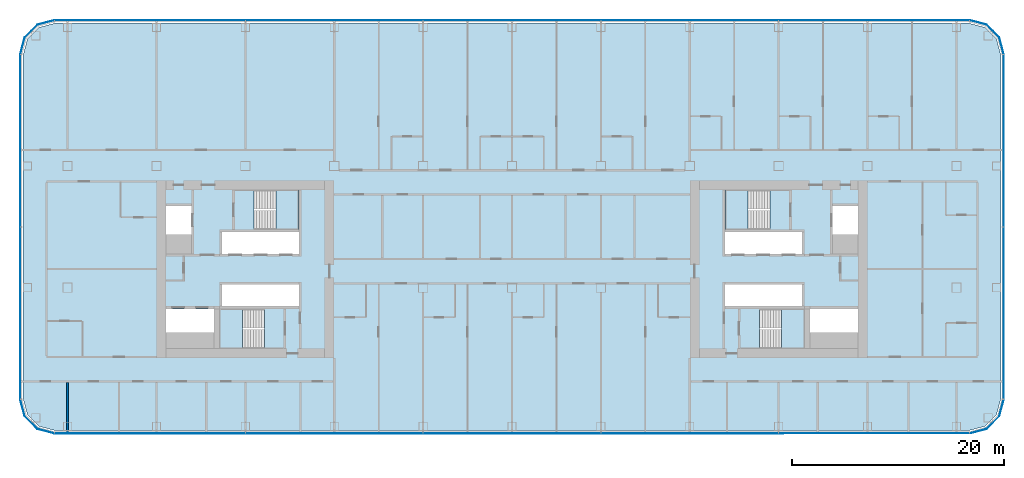
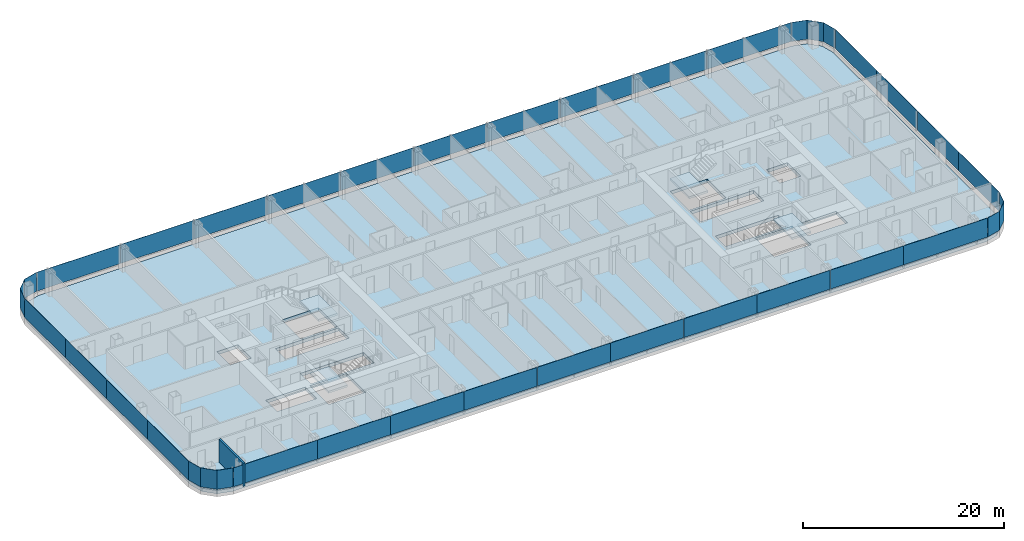
# One storey, part 14 of 29: 32 plates, 5 slabs, 1 wall, 12 elements without a shape of their own.
"""IFC4 building model written with IfcOpenShell, lengths in metres."""

import ifcopenshell
import ifcopenshell.guid

model = None  # the IFC model being written
_history = None  # IfcOwnerHistory: only IFC2X3 demands one
_inside = {}  # id of a spatial element -> (the spatial element, [elements in it])
_under = {}  # id of a project, library or spatial element -> (it, [spatial elements below it])
_declared = {}  # id of a project -> (the project, [libraries it declares])
_typed = {}  # id of a type object -> (the type object, [elements of that type])
_made_of = {}  # id of a material, layer set ... -> (it, [elements and type objects made of it])


def new_model(schema):
    """Start an empty IFC model of exactly this schema.

    Asked for "IFC4X3", IfcOpenShell would pick the latest addendum, in which some entities
    have other attributes; the version numbers below select the first issue.
    IFC2X3 requires an IfcOwnerHistory on every rooted entity: one is made here for all.
    """
    global model, _history
    if schema == "IFC4X3":
        model = ifcopenshell.file(schema_version=(4, 3, 0, 0))
    else:
        model = ifcopenshell.file(schema=schema)
    _inside.clear()
    _under.clear()
    _declared.clear()
    _typed.clear()
    _made_of.clear()
    _history = None
    if model.schema == "IFC2X3":
        org = make("IfcOrganization", Name="unknown")
        user = make(
            "IfcPersonAndOrganization",
            ThePerson=make("IfcPerson", FamilyName="unknown"),
            TheOrganization=org,
        )
        app = make(
            "IfcApplication",
            ApplicationDeveloper=org,
            Version="unknown",
            ApplicationFullName="unknown",
            ApplicationIdentifier="unknown",
        )
        _history = make(
            "IfcOwnerHistory",
            OwningUser=user,
            OwningApplication=app,
            ChangeAction="ADDED",
            CreationDate=0,
        )
    return model


def make(cls, **values):
    """One entity of the class cls with the attributes given. An attribute that is None is left unset."""
    return model.create_entity(
        cls, **{name: value for name, value in values.items() if value is not None}
    )


def rooted(cls, **values):
    """An entity with a GlobalId (a new one), such as an element, a storey or a relation."""
    return make(cls, GlobalId=ifcopenshell.guid.new(), OwnerHistory=_history, **values)


def si_unit(unit_type, name, prefix=None):
    """IfcSIUnit, for example si_unit("LENGTHUNIT", "METRE", prefix="MILLI")."""
    return make("IfcSIUnit", UnitType=unit_type, Prefix=prefix, Name=name)


def assignment(units):
    """IfcUnitAssignment: the units of a project."""
    return None if units is None else make("IfcUnitAssignment", Units=units)


def point(xyz):
    """IfcCartesianPoint."""
    return None if xyz is None else make("IfcCartesianPoint", Coordinates=xyz)


def direction(xyz):
    """IfcDirection."""
    return None if xyz is None else make("IfcDirection", DirectionRatios=xyz)


def frame(location, z_axis=None, x_axis=None):
    """IfcAxis2Placement3D, a coordinate frame: its origin and axes. An axis left out is left unset."""
    return make(
        "IfcAxis2Placement3D",
        Location=point(location),
        Axis=direction(z_axis),
        RefDirection=direction(x_axis),
    )


def frame_2d(location, x_axis=None):
    """IfcAxis2Placement2D, a coordinate frame in the plane: its origin and x axis."""
    return make(
        "IfcAxis2Placement2D", Location=point(location), RefDirection=direction(x_axis)
    )


def origin():
    """The frame at (0, 0, 0) with its axes left unset."""
    return frame((0.0, 0.0, 0.0))


def origin_2d():
    """The frame at (0, 0) in the plane with its x axis left unset."""
    return frame_2d((0.0, 0.0))


def place(relative_to, where):
    """IfcLocalPlacement: puts the frame where relative to a parent placement (None: the world)."""
    return make(
        "IfcLocalPlacement", PlacementRelTo=relative_to, RelativePlacement=where
    )


def context(
    kind, dimensions, precision=None, world=None, true_north=None, identifier=None
):
    """IfcGeometricRepresentationContext, for example the 3D "Model" context."""
    return make(
        "IfcGeometricRepresentationContext",
        ContextIdentifier=identifier,
        ContextType=kind,
        CoordinateSpaceDimension=dimensions,
        Precision=precision,
        WorldCoordinateSystem=world,
        TrueNorth=true_north,
    )


def subcontext(parent, identifier, kind, view, scale=None):
    """IfcGeometricRepresentationSubContext, for example "Body" below "Model"."""
    return make(
        "IfcGeometricRepresentationSubContext",
        ContextIdentifier=identifier,
        ContextType=kind,
        ParentContext=parent,
        TargetScale=scale,
        TargetView=view,
    )


def project(units=None, contexts=None):
    """IfcProject with its units and contexts."""
    return rooted(
        "IfcProject",
        Name="project",
        RepresentationContexts=contexts,
        UnitsInContext=assignment(units),
    )


def spatial(cls, under=None, at=None, **own):
    """A site, building, storey or space (cls), placed at a placement, below another one or the project."""
    s = rooted(cls, ObjectPlacement=at, **own)
    if under is not None:
        _under.setdefault(under.id(), (under, []))[1].append(s)
    return s


def polyline(points):
    """IfcPolyline through the points."""
    return make("IfcPolyline", Points=[point(p) for p in points])


def profile(cls, at=None, kind="AREA", **sizes):
    """A parametric profile (cls). Its sizes go by their IFC names, for example OverallWidth=200.0."""
    return make(cls, ProfileType=kind, Position=at, **sizes)


def rectangle(**sizes):
    """IfcRectangleProfileDef."""
    return profile("IfcRectangleProfileDef", **sizes)


def outline(outer, holes=None, kind="AREA"):
    """IfcArbitraryClosedProfileDef: a profile drawn as a closed curve; with holes, ...WithVoids."""
    if holes is None:
        return make("IfcArbitraryClosedProfileDef", ProfileType=kind, OuterCurve=outer)
    return make(
        "IfcArbitraryProfileDefWithVoids",
        ProfileType=kind,
        OuterCurve=outer,
        InnerCurves=holes,
    )


def extrude(swept, where, along, depth):
    """IfcExtrudedAreaSolid: the profile swept, set in the frame where, extruded along a direction by depth."""
    return make(
        "IfcExtrudedAreaSolid",
        SweptArea=swept,
        Position=where,
        ExtrudedDirection=direction(along),
        Depth=depth,
    )


def shape(context_of_items, identifier, shape_type, items):
    """IfcShapeRepresentation: the items that make up one representation, for example the "Body"."""
    return make(
        "IfcShapeRepresentation",
        ContextOfItems=context_of_items,
        RepresentationIdentifier=identifier,
        RepresentationType=shape_type,
        Items=items,
    )


def material(Name=None, Category=None):
    """IfcMaterial."""
    return make("IfcMaterial", Name=Name, Category=Category)


def layer(
    of_material, thickness, ventilated=None, Name=None, Category=None, Priority=None
):
    """IfcMaterialLayer: one layer of a wall or slab, of a material (None: an air gap)."""
    return make(
        "IfcMaterialLayer",
        Material=of_material,
        LayerThickness=thickness,
        IsVentilated=ventilated,
        Name=Name,
        Category=Category,
        Priority=Priority,
    )


def layer_set(layers, Name=None):
    """IfcMaterialLayerSet."""
    return make("IfcMaterialLayerSet", MaterialLayers=layers, LayerSetName=Name)


def made_of(thing, what):
    """Note that an element or type object is made of a material, layer set ...; save() writes the relation."""
    if what is not None:
        _made_of.setdefault(what.id(), (what, []))[1].append(thing)
    return thing


def type_object(cls, material=None, **own):
    """A type object (cls), such as IfcWallType, which elements share."""
    return made_of(rooted(cls, **own), material)


def element(
    cls,
    number,
    at=None,
    inside=None,
    cuts=None,
    type_object=None,
    material=None,
    context=None,
    identifier="Body",
    shape_type=None,
    held_by="IfcProductDefinitionShape",
    body=None,
    shapes=None,
    **own,
):
    """One element of the class cls, such as IfcWall. Its Tag is "e" and its number.

    at: its placement. inside: the storey or other place that contains it. cuts: it is an
    opening in that element (IfcRelVoidsElement). A single representation is given by context,
    identifier, shape_type and body (its items); several are given by shapes. held_by: the class
    of the entity that holds the representations. save() writes the other relations.
    """
    e = rooted(cls, Tag="e%d" % number, ObjectPlacement=at, **own)
    if body is not None:
        shapes = [shape(context, identifier, shape_type, body)]
    if shapes is not None:
        e.Representation = make(held_by, Representations=shapes)
    if inside is not None:
        _inside.setdefault(inside.id(), (inside, []))[1].append(e)
    if cuts is not None:
        rooted(
            "IfcRelVoidsElement", RelatingBuildingElement=cuts, RelatedOpeningElement=e
        )
    if type_object is not None:
        _typed.setdefault(type_object.id(), (type_object, []))[1].append(e)
    return made_of(e, material)


def aggregate(whole, parts):
    """IfcRelAggregates: a whole, such as a stair, and the parts it consists of."""
    return rooted("IfcRelAggregates", RelatingObject=whole, RelatedObjects=parts)


def save(model, path):
    """Write the relations noted so far, then the file.

    IfcRelAggregates (storeys below a building ...), IfcRelContainedInSpatialStructure (elements
    in a storey), IfcRelDefinesByType, IfcRelAssociatesMaterial and IfcRelDeclares: one each for
    every whole, place, type object, material and project.
    """
    for whole, parts in _under.values():
        aggregate(whole, parts)
    for where, things in _inside.values():
        rooted(
            "IfcRelContainedInSpatialStructure",
            RelatedElements=things,
            RelatingStructure=where,
        )
    for kind, things in _typed.values():
        rooted("IfcRelDefinesByType", RelatedObjects=things, RelatingType=kind)
    for what, things in _made_of.values():
        rooted("IfcRelAssociatesMaterial", RelatedObjects=things, RelatingMaterial=what)
    for by, libraries in _declared.values():
        rooted("IfcRelDeclares", RelatingContext=by, RelatedDefinitions=libraries)
    model.write(path)


model = new_model("IFC4")

# Units and contexts
model_context = context("Model", 3, precision=1e-05, world=origin(), true_north=direction((0.0, 1.0)))
body_context = subcontext(model_context, "Body", "Model", "MODEL_VIEW")
ifc_project = project(units=[si_unit("LENGTHUNIT", "METRE"), si_unit("AREAUNIT", "SQUARE_METRE"), si_unit("VOLUMEUNIT", "CUBIC_METRE"), si_unit("PLANEANGLEUNIT", "RADIAN"), si_unit("MASSUNIT", "GRAM", prefix="KILO")], contexts=[model_context])

# Site, building, storey
site_placement = place(None, origin())
site = spatial("IfcSite", under=ifc_project, at=site_placement, CompositionType="ELEMENT")
building_placement = place(site_placement, origin())
building = spatial("IfcBuilding", under=site, at=building_placement, Name="Hakoniwa Tower and Hamabe Station Hall", CompositionType="ELEMENT")
storey_placement = place(building_placement, frame((0.0, 0.0, 88.199951171875)))
storey = spatial("IfcBuildingStorey", under=building, at=storey_placement, Name="L24", CompositionType="ELEMENT", Elevation=88.199951171875)

# Stair, slab
ifc_material_1 = material(Name="Concrete C40", Category="concrete")
stair_type = type_object("IfcStairType", Name="ESCAPE STAIR 1800", PredefinedType="HALF_TURN_STAIR", material=ifc_material_1)
stair_1_placement = place(storey_placement, origin())
stair_1 = element("IfcStair", 1, at=stair_1_placement, inside=storey, type_object=stair_type, Name="Escape stair ST-1 L24", PredefinedType="HALF_TURN_STAIR")
ifc_material_2 = material(Name="Concrete C40", Category="concrete")
ifc_layer_1 = layer(ifc_material_2, 0.25)
ifc_layer_set_1 = layer_set([ifc_layer_1], Name="CORE STAIR LANDING 250")
slab_type_1 = type_object("IfcSlabType", Name="CORE STAIR LANDING 250", PredefinedType="LANDING", material=ifc_layer_set_1)
slab_1_placement = place(storey_placement, frame((0.0, 0.0, 1.35009765625)))
slab_1 = element("IfcSlab", 2, at=slab_1_placement, type_object=slab_type_1, Name="ST-1 landing 1", PredefinedType="LANDING", context=body_context, shape_type="SweptSolid", body=[
    extrude(outline(polyline([(-22.320068359375, 3.75), (-20.14990234375, 3.75), (-20.14990234375, 7.5), (-22.320068359375, 7.5), (-22.320068359375, 3.75)])), origin(), (0.0, 0.0, 1.0), 0.25),
])
aggregate(stair_1, [slab_1])

stair_2_placement = place(storey_placement, origin())
stair_2 = element("IfcStair", 3, at=stair_2_placement, inside=storey, type_object=stair_type, Name="Escape stair ST-2 L24", PredefinedType="HALF_TURN_STAIR")
slab_2_placement = place(storey_placement, frame((0.0, 0.0, 1.35009765625)))
slab_2 = element("IfcSlab", 4, at=slab_2_placement, type_object=slab_type_1, Name="ST-2 landing 1", PredefinedType="LANDING", context=body_context, shape_type="SweptSolid", body=[
    extrude(outline(polyline([(-25.47998046875, -7.5), (-27.64990234375, -7.5), (-27.64990234375, -3.75), (-25.47998046875, -3.75), (-25.47998046875, -7.5)])), origin(), (0.0, 0.0, 1.0), 0.25),
])
aggregate(stair_2, [slab_2])

stair_3_placement = place(storey_placement, origin())
stair_3 = element("IfcStair", 5, at=stair_3_placement, inside=storey, type_object=stair_type, Name="Escape stair ST-3 L24", PredefinedType="HALF_TURN_STAIR")
slab_3_placement = place(storey_placement, frame((0.0, 0.0, 1.35009765625)))
slab_3 = element("IfcSlab", 6, at=slab_3_placement, type_object=slab_type_1, Name="ST-3 landing 1", PredefinedType="LANDING", context=body_context, shape_type="SweptSolid", body=[
    extrude(outline(polyline([(22.320068359375, 3.75), (20.14990234375, 3.75), (20.14990234375, 7.5), (22.320068359375, 7.5), (22.320068359375, 3.75)])), origin(), (0.0, 0.0, 1.0), 0.25),
])
aggregate(stair_3, [slab_3])

stair_4_placement = place(storey_placement, origin())
stair_4 = element("IfcStair", 7, at=stair_4_placement, inside=storey, type_object=stair_type, Name="Escape stair ST-4 L24", PredefinedType="HALF_TURN_STAIR")
slab_4_placement = place(storey_placement, frame((0.0, 0.0, 1.35009765625)))
slab_4 = element("IfcSlab", 8, at=slab_4_placement, type_object=slab_type_1, Name="ST-4 landing 1", PredefinedType="LANDING", context=body_context, shape_type="SweptSolid", body=[
    extrude(outline(polyline([(25.47998046875, -7.5), (27.64990234375, -7.5), (27.64990234375, -3.75), (25.47998046875, -3.75), (25.47998046875, -7.5)])), origin(), (0.0, 0.0, 1.0), 0.25),
])
aggregate(stair_4, [slab_4])

# Curtain wall, plates
ifc_material_3 = material(Name="Dark low-e laminated glass", Category="glass")
ifc_layer_2 = layer(ifc_material_3, 0.199951171875)
ifc_layer_set_2 = layer_set([ifc_layer_2], Name="CW-1 UNITISED GUEST")
curtain_wall_type = type_object("IfcCurtainWallType", Name="CW-1 UNITISED GUEST", PredefinedType="NOTDEFINED", material=ifc_layer_set_2)
curtain_wall_1_placement = place(storey_placement, origin())
curtain_wall_1 = element("IfcCurtainWall", 9, at=curtain_wall_1_placement, inside=storey, type_object=curtain_wall_type, Name="CW-1 curtain wall", PredefinedType="NOTDEFINED")
ifc_material_4 = material(Name="Dark low-e laminated glass", Category="glass")
ifc_layer_3 = layer(ifc_material_4, 0.028076171875)
ifc_layer_set_3 = layer_set([ifc_layer_3], Name="CW-1 GLASS UNIT")
plate_type = type_object("IfcPlateType", Name="CW-1 GLASS UNIT", PredefinedType="CURTAIN_PANEL", material=ifc_layer_set_3)
plate_1_placement = place(storey_placement, frame((46.486083984375, -8.217041015625, 0.35009765625), z_axis=(0.0, 0.0, 1.0), x_axis=(0.0, 1.0, 0.0)))
plate_1 = element("IfcPlate", 10, at=plate_1_placement, type_object=plate_type, Name="CW-1 glass unit", PredefinedType="CURTAIN_PANEL", context=body_context, shape_type="SweptSolid", body=[
    extrude(rectangle(XDim=8.124755859375, YDim=0.028076171875, at=origin_2d()), origin(), (0.0, 0.0, 1.0), 2.300048828125),
])
plate_2_placement = place(storey_placement, frame((46.486083984375, -0.072265625, 0.35009765625), z_axis=(0.0, 0.0, 1.0), x_axis=(0.0, 1.0, 0.0)))
plate_2 = element("IfcPlate", 11, at=plate_2_placement, type_object=plate_type, Name="CW-1 glass unit", PredefinedType="CURTAIN_PANEL", context=body_context, shape_type="SweptSolid", body=[
    extrude(rectangle(XDim=8.124755859375, YDim=0.028076171875, at=origin_2d()), origin(), (0.0, 0.0, 1.0), 2.300048828125),
])
plate_3_placement = place(storey_placement, frame((46.486083984375, 8.072265625, 0.35009765625), z_axis=(0.0, 0.0, 1.0), x_axis=(0.0, 1.0, 0.0)))
plate_3 = element("IfcPlate", 12, at=plate_3_placement, type_object=plate_type, Name="CW-1 glass unit", PredefinedType="CURTAIN_PANEL", context=body_context, shape_type="SweptSolid", body=[
    extrude(rectangle(XDim=8.124755859375, YDim=0.028076171875, at=origin_2d()), origin(), (0.0, 0.0, 1.0), 2.300048828125),
])
plate_4_placement = place(storey_placement, frame((46.486083984375, 16.217041015625, 0.35009765625), z_axis=(0.0, 0.0, 1.0), x_axis=(0.0, 1.0, 0.0)))
plate_4 = element("IfcPlate", 13, at=plate_4_placement, type_object=plate_type, Name="CW-1 glass unit", PredefinedType="CURTAIN_PANEL", context=body_context, shape_type="SweptSolid", body=[
    extrude(rectangle(XDim=8.124755859375, YDim=0.028076171875, at=origin_2d()), origin(), (0.0, 0.0, 1.0), 2.300048828125),
])
aggregate(curtain_wall_1, [plate_1, plate_2, plate_3, plate_4])

# Curtain wall, plate
curtain_wall_2_placement = place(storey_placement, origin())
curtain_wall_2 = element("IfcCurtainWall", 14, at=curtain_wall_2_placement, inside=storey, type_object=curtain_wall_type, Name="CW-1 curtain wall", PredefinedType="NOTDEFINED")
plate_5_placement = place(storey_placement, frame((0.0, 0.0, 0.35009765625)))
plate_5 = element("IfcPlate", 15, at=plate_5_placement, type_object=plate_type, Name="CW-1 curved corner unit", PredefinedType="CURTAIN_PANEL", context=body_context, shape_type="SweptSolid", body=[
    extrude(outline(polyline([(46.48974609375, 20.328125), (46.067138671875, 21.9052734375), (44.855224609375, 23.116943359375), (43.278076171875, 23.53955078125), (43.27099609375, 23.5126953125), (44.8408203125, 23.092041015625), (46.0419921875, 21.890869140625), (46.462646484375, 20.32080078125), (46.48974609375, 20.328125)])), origin(), (0.0, 0.0, 1.0), 2.300048828125),
])
aggregate(curtain_wall_2, [plate_5])

# Curtain wall, plates
curtain_wall_3_placement = place(storey_placement, origin())
curtain_wall_3 = element("IfcCurtainWall", 16, at=curtain_wall_3_placement, inside=storey, type_object=curtain_wall_type, Name="CW-1 curtain wall", PredefinedType="NOTDEFINED")
plate_6_placement = place(storey_placement, frame((38.419677734375, 23.535888671875, 0.35009765625), z_axis=(0.0, 0.0, 1.0), x_axis=(-1.0, 0.0, 0.0)))
plate_6 = element("IfcPlate", 17, at=plate_6_placement, type_object=plate_type, Name="CW-1 glass unit", PredefinedType="CURTAIN_PANEL", context=body_context, shape_type="SweptSolid", body=[
    extrude(rectangle(XDim=9.619384765625, YDim=0.028076171875, at=origin_2d()), origin(), (0.0, 0.0, 1.0), 2.300048828125),
])
plate_7_placement = place(storey_placement, frame((29.39990234375, 23.535888671875, 0.35009765625), z_axis=(0.0, 0.0, 1.0), x_axis=(-1.0, 0.0, 0.0)))
plate_7 = element("IfcPlate", 18, at=plate_7_placement, type_object=plate_type, Name="CW-1 glass unit", PredefinedType="CURTAIN_PANEL", context=body_context, shape_type="SweptSolid", body=[
    extrude(rectangle(XDim=8.3798828125, YDim=0.028076171875, at=origin_2d()), origin(), (0.0, 0.0, 1.0), 2.300048828125),
])
plate_8_placement = place(storey_placement, frame((21.0, 23.535888671875, 0.35009765625), z_axis=(0.0, 0.0, 1.0), x_axis=(-1.0, 0.0, 0.0)))
plate_8 = element("IfcPlate", 19, at=plate_8_placement, type_object=plate_type, Name="CW-1 glass unit", PredefinedType="CURTAIN_PANEL", context=body_context, shape_type="SweptSolid", body=[
    extrude(rectangle(XDim=8.3798828125, YDim=0.028076171875, at=origin_2d()), origin(), (0.0, 0.0, 1.0), 2.300048828125),
])
plate_9_placement = place(storey_placement, frame((12.60009765625, 23.535888671875, 0.35009765625), z_axis=(0.0, 0.0, 1.0), x_axis=(-1.0, 0.0, 0.0)))
plate_9 = element("IfcPlate", 20, at=plate_9_placement, type_object=plate_type, Name="CW-1 glass unit", PredefinedType="CURTAIN_PANEL", context=body_context, shape_type="SweptSolid", body=[
    extrude(rectangle(XDim=8.3798828125, YDim=0.028076171875, at=origin_2d()), origin(), (0.0, 0.0, 1.0), 2.300048828125),
])
plate_10_placement = place(storey_placement, frame((4.199951171875, 23.535888671875, 0.35009765625), z_axis=(0.0, 0.0, 1.0), x_axis=(-1.0, 0.0, 0.0)))
plate_10 = element("IfcPlate", 21, at=plate_10_placement, type_object=plate_type, Name="CW-1 glass unit", PredefinedType="CURTAIN_PANEL", context=body_context, shape_type="SweptSolid", body=[
    extrude(rectangle(XDim=8.3798828125, YDim=0.028076171875, at=origin_2d()), origin(), (0.0, 0.0, 1.0), 2.300048828125),
])
plate_11_placement = place(storey_placement, frame((-4.199951171875, 23.535888671875, 0.35009765625), z_axis=(0.0, 0.0, 1.0), x_axis=(-1.0, 0.0, 0.0)))
plate_11 = element("IfcPlate", 22, at=plate_11_placement, type_object=plate_type, Name="CW-1 glass unit", PredefinedType="CURTAIN_PANEL", context=body_context, shape_type="SweptSolid", body=[
    extrude(rectangle(XDim=8.3798828125, YDim=0.028076171875, at=origin_2d()), origin(), (0.0, 0.0, 1.0), 2.300048828125),
])
plate_12_placement = place(storey_placement, frame((-12.60009765625, 23.535888671875, 0.35009765625), z_axis=(0.0, 0.0, 1.0), x_axis=(-1.0, 0.0, 0.0)))
plate_12 = element("IfcPlate", 23, at=plate_12_placement, type_object=plate_type, Name="CW-1 glass unit", PredefinedType="CURTAIN_PANEL", context=body_context, shape_type="SweptSolid", body=[
    extrude(rectangle(XDim=8.3798828125, YDim=0.028076171875, at=origin_2d()), origin(), (0.0, 0.0, 1.0), 2.300048828125),
])
plate_13_placement = place(storey_placement, frame((-21.0, 23.535888671875, 0.35009765625), z_axis=(0.0, 0.0, 1.0), x_axis=(-1.0, 0.0, 0.0)))
plate_13 = element("IfcPlate", 24, at=plate_13_placement, type_object=plate_type, Name="CW-1 glass unit", PredefinedType="CURTAIN_PANEL", context=body_context, shape_type="SweptSolid", body=[
    extrude(rectangle(XDim=8.3798828125, YDim=0.028076171875, at=origin_2d()), origin(), (0.0, 0.0, 1.0), 2.300048828125),
])
plate_14_placement = place(storey_placement, frame((-29.39990234375, 23.535888671875, 0.35009765625), z_axis=(0.0, 0.0, 1.0), x_axis=(-1.0, 0.0, 0.0)))
plate_14 = element("IfcPlate", 25, at=plate_14_placement, type_object=plate_type, Name="CW-1 glass unit", PredefinedType="CURTAIN_PANEL", context=body_context, shape_type="SweptSolid", body=[
    extrude(rectangle(XDim=8.3798828125, YDim=0.028076171875, at=origin_2d()), origin(), (0.0, 0.0, 1.0), 2.300048828125),
])
plate_15_placement = place(storey_placement, frame((-38.419677734375, 23.535888671875, 0.35009765625), z_axis=(0.0, 0.0, 1.0), x_axis=(-1.0, 0.0, 0.0)))
plate_15 = element("IfcPlate", 26, at=plate_15_placement, type_object=plate_type, Name="CW-1 glass unit", PredefinedType="CURTAIN_PANEL", context=body_context, shape_type="SweptSolid", body=[
    extrude(rectangle(XDim=9.619384765625, YDim=0.028076171875, at=origin_2d()), origin(), (0.0, 0.0, 1.0), 2.300048828125),
])
aggregate(curtain_wall_3, [plate_6, plate_7, plate_8, plate_9, plate_10, plate_11, plate_12, plate_13, plate_14, plate_15])

# Curtain wall, plate
curtain_wall_4_placement = place(storey_placement, origin())
curtain_wall_4 = element("IfcCurtainWall", 27, at=curtain_wall_4_placement, inside=storey, type_object=curtain_wall_type, Name="CW-1 curtain wall", PredefinedType="NOTDEFINED")
plate_16_placement = place(storey_placement, frame((0.0, 0.0, 0.35009765625)))
plate_16 = element("IfcPlate", 28, at=plate_16_placement, type_object=plate_type, Name="CW-1 curved corner unit", PredefinedType="CURTAIN_PANEL", context=body_context, shape_type="SweptSolid", body=[
    extrude(outline(polyline([(-43.278076171875, 23.53955078125), (-44.855224609375, 23.116943359375), (-46.067138671875, 21.9052734375), (-46.48974609375, 20.328125), (-46.462646484375, 20.32080078125), (-46.0419921875, 21.890869140625), (-44.8408203125, 23.092041015625), (-43.27099609375, 23.5126953125), (-43.278076171875, 23.53955078125)])), origin(), (0.0, 0.0, 1.0), 2.300048828125),
])
aggregate(curtain_wall_4, [plate_16])

# Curtain wall, plates
curtain_wall_5_placement = place(storey_placement, origin())
curtain_wall_5 = element("IfcCurtainWall", 29, at=curtain_wall_5_placement, inside=storey, type_object=curtain_wall_type, Name="CW-1 curtain wall", PredefinedType="NOTDEFINED")
plate_17_placement = place(storey_placement, frame((-46.486083984375, 16.217041015625, 0.35009765625), z_axis=(0.0, 0.0, 1.0), x_axis=(0.0, -1.0, 0.0)))
plate_17 = element("IfcPlate", 30, at=plate_17_placement, type_object=plate_type, Name="CW-1 glass unit", PredefinedType="CURTAIN_PANEL", context=body_context, shape_type="SweptSolid", body=[
    extrude(rectangle(XDim=8.124755859375, YDim=0.028076171875, at=origin_2d()), origin(), (0.0, 0.0, 1.0), 2.300048828125),
])
plate_18_placement = place(storey_placement, frame((-46.486083984375, 8.072265625, 0.35009765625), z_axis=(0.0, 0.0, 1.0), x_axis=(0.0, -1.0, 0.0)))
plate_18 = element("IfcPlate", 31, at=plate_18_placement, type_object=plate_type, Name="CW-1 glass unit", PredefinedType="CURTAIN_PANEL", context=body_context, shape_type="SweptSolid", body=[
    extrude(rectangle(XDim=8.124755859375, YDim=0.028076171875, at=origin_2d()), origin(), (0.0, 0.0, 1.0), 2.300048828125),
])
plate_19_placement = place(storey_placement, frame((-46.486083984375, -0.072265625, 0.35009765625), z_axis=(0.0, 0.0, 1.0), x_axis=(0.0, -1.0, 0.0)))
plate_19 = element("IfcPlate", 32, at=plate_19_placement, type_object=plate_type, Name="CW-1 glass unit", PredefinedType="CURTAIN_PANEL", context=body_context, shape_type="SweptSolid", body=[
    extrude(rectangle(XDim=8.124755859375, YDim=0.028076171875, at=origin_2d()), origin(), (0.0, 0.0, 1.0), 2.300048828125),
])
plate_20_placement = place(storey_placement, frame((-46.486083984375, -8.217041015625, 0.35009765625), z_axis=(0.0, 0.0, 1.0), x_axis=(0.0, -1.0, 0.0)))
plate_20 = element("IfcPlate", 33, at=plate_20_placement, type_object=plate_type, Name="CW-1 glass unit", PredefinedType="CURTAIN_PANEL", context=body_context, shape_type="SweptSolid", body=[
    extrude(rectangle(XDim=8.124755859375, YDim=0.028076171875, at=origin_2d()), origin(), (0.0, 0.0, 1.0), 2.300048828125),
])
aggregate(curtain_wall_5, [plate_17, plate_18, plate_19, plate_20])

# Curtain wall, plate
curtain_wall_6_placement = place(storey_placement, origin())
curtain_wall_6 = element("IfcCurtainWall", 34, at=curtain_wall_6_placement, inside=storey, type_object=curtain_wall_type, Name="CW-1 curtain wall", PredefinedType="NOTDEFINED")
plate_21_placement = place(storey_placement, frame((0.0, 0.0, 0.35009765625)))
plate_21 = element("IfcPlate", 35, at=plate_21_placement, type_object=plate_type, Name="CW-1 curved corner unit", PredefinedType="CURTAIN_PANEL", context=body_context, shape_type="SweptSolid", body=[
    extrude(outline(polyline([(-46.48974609375, -12.328125), (-46.067138671875, -13.9052734375), (-44.855224609375, -15.116943359375), (-43.278076171875, -15.53955078125), (-43.27099609375, -15.5126953125), (-44.8408203125, -15.092041015625), (-46.0419921875, -13.890869140625), (-46.462646484375, -12.32080078125), (-46.48974609375, -12.328125)])), origin(), (0.0, 0.0, 1.0), 2.300048828125),
])
aggregate(curtain_wall_6, [plate_21])

# Curtain wall, plates
curtain_wall_7_placement = place(storey_placement, origin())
curtain_wall_7 = element("IfcCurtainWall", 36, at=curtain_wall_7_placement, inside=storey, type_object=curtain_wall_type, Name="CW-1 curtain wall", PredefinedType="NOTDEFINED")
plate_22_placement = place(storey_placement, frame((-38.419677734375, -15.535888671875, 0.35009765625), z_axis=(0.0, 0.0, 1.0), x_axis=(1.0, 0.0, 0.0)))
plate_22 = element("IfcPlate", 37, at=plate_22_placement, type_object=plate_type, Name="CW-1 glass unit", PredefinedType="CURTAIN_PANEL", context=body_context, shape_type="SweptSolid", body=[
    extrude(rectangle(XDim=9.619384765625, YDim=0.028076171875, at=origin_2d()), origin(), (0.0, 0.0, 1.0), 2.300048828125),
])
plate_23_placement = place(storey_placement, frame((-29.39990234375, -15.535888671875, 0.35009765625), z_axis=(0.0, 0.0, 1.0), x_axis=(1.0, 0.0, 0.0)))
plate_23 = element("IfcPlate", 38, at=plate_23_placement, type_object=plate_type, Name="CW-1 glass unit", PredefinedType="CURTAIN_PANEL", context=body_context, shape_type="SweptSolid", body=[
    extrude(rectangle(XDim=8.3798828125, YDim=0.028076171875, at=origin_2d()), origin(), (0.0, 0.0, 1.0), 2.300048828125),
])
plate_24_placement = place(storey_placement, frame((-21.0, -15.535888671875, 0.35009765625), z_axis=(0.0, 0.0, 1.0), x_axis=(1.0, 0.0, 0.0)))
plate_24 = element("IfcPlate", 39, at=plate_24_placement, type_object=plate_type, Name="CW-1 glass unit", PredefinedType="CURTAIN_PANEL", context=body_context, shape_type="SweptSolid", body=[
    extrude(rectangle(XDim=8.3798828125, YDim=0.028076171875, at=origin_2d()), origin(), (0.0, 0.0, 1.0), 2.300048828125),
])
plate_25_placement = place(storey_placement, frame((-12.60009765625, -15.535888671875, 0.35009765625), z_axis=(0.0, 0.0, 1.0), x_axis=(1.0, 0.0, 0.0)))
plate_25 = element("IfcPlate", 40, at=plate_25_placement, type_object=plate_type, Name="CW-1 glass unit", PredefinedType="CURTAIN_PANEL", context=body_context, shape_type="SweptSolid", body=[
    extrude(rectangle(XDim=8.3798828125, YDim=0.028076171875, at=origin_2d()), origin(), (0.0, 0.0, 1.0), 2.300048828125),
])
plate_26_placement = place(storey_placement, frame((-4.199951171875, -15.535888671875, 0.35009765625), z_axis=(0.0, 0.0, 1.0), x_axis=(1.0, 0.0, 0.0)))
plate_26 = element("IfcPlate", 41, at=plate_26_placement, type_object=plate_type, Name="CW-1 glass unit", PredefinedType="CURTAIN_PANEL", context=body_context, shape_type="SweptSolid", body=[
    extrude(rectangle(XDim=8.3798828125, YDim=0.028076171875, at=origin_2d()), origin(), (0.0, 0.0, 1.0), 2.300048828125),
])
plate_27_placement = place(storey_placement, frame((4.199951171875, -15.535888671875, 0.35009765625), z_axis=(0.0, 0.0, 1.0), x_axis=(1.0, 0.0, 0.0)))
plate_27 = element("IfcPlate", 42, at=plate_27_placement, type_object=plate_type, Name="CW-1 glass unit", PredefinedType="CURTAIN_PANEL", context=body_context, shape_type="SweptSolid", body=[
    extrude(rectangle(XDim=8.3798828125, YDim=0.028076171875, at=origin_2d()), origin(), (0.0, 0.0, 1.0), 2.300048828125),
])
plate_28_placement = place(storey_placement, frame((12.60009765625, -15.535888671875, 0.35009765625), z_axis=(0.0, 0.0, 1.0), x_axis=(1.0, 0.0, 0.0)))
plate_28 = element("IfcPlate", 43, at=plate_28_placement, type_object=plate_type, Name="CW-1 glass unit", PredefinedType="CURTAIN_PANEL", context=body_context, shape_type="SweptSolid", body=[
    extrude(rectangle(XDim=8.3798828125, YDim=0.028076171875, at=origin_2d()), origin(), (0.0, 0.0, 1.0), 2.300048828125),
])
plate_29_placement = place(storey_placement, frame((21.0, -15.535888671875, 0.35009765625), z_axis=(0.0, 0.0, 1.0), x_axis=(1.0, 0.0, 0.0)))
plate_29 = element("IfcPlate", 44, at=plate_29_placement, type_object=plate_type, Name="CW-1 glass unit", PredefinedType="CURTAIN_PANEL", context=body_context, shape_type="SweptSolid", body=[
    extrude(rectangle(XDim=8.3798828125, YDim=0.028076171875, at=origin_2d()), origin(), (0.0, 0.0, 1.0), 2.300048828125),
])
plate_30_placement = place(storey_placement, frame((29.39990234375, -15.535888671875, 0.35009765625), z_axis=(0.0, 0.0, 1.0), x_axis=(1.0, 0.0, 0.0)))
plate_30 = element("IfcPlate", 45, at=plate_30_placement, type_object=plate_type, Name="CW-1 glass unit", PredefinedType="CURTAIN_PANEL", context=body_context, shape_type="SweptSolid", body=[
    extrude(rectangle(XDim=8.3798828125, YDim=0.028076171875, at=origin_2d()), origin(), (0.0, 0.0, 1.0), 2.300048828125),
])
plate_31_placement = place(storey_placement, frame((38.419677734375, -15.535888671875, 0.35009765625), z_axis=(0.0, 0.0, 1.0), x_axis=(1.0, 0.0, 0.0)))
plate_31 = element("IfcPlate", 46, at=plate_31_placement, type_object=plate_type, Name="CW-1 glass unit", PredefinedType="CURTAIN_PANEL", context=body_context, shape_type="SweptSolid", body=[
    extrude(rectangle(XDim=9.619384765625, YDim=0.028076171875, at=origin_2d()), origin(), (0.0, 0.0, 1.0), 2.300048828125),
])
aggregate(curtain_wall_7, [plate_22, plate_23, plate_24, plate_25, plate_26, plate_27, plate_28, plate_29, plate_30, plate_31])

# Curtain wall, plate
curtain_wall_8_placement = place(storey_placement, origin())
curtain_wall_8 = element("IfcCurtainWall", 47, at=curtain_wall_8_placement, inside=storey, type_object=curtain_wall_type, Name="CW-1 curtain wall", PredefinedType="NOTDEFINED")
plate_32_placement = place(storey_placement, frame((0.0, 0.0, 0.35009765625)))
plate_32 = element("IfcPlate", 48, at=plate_32_placement, type_object=plate_type, Name="CW-1 curved corner unit", PredefinedType="CURTAIN_PANEL", context=body_context, shape_type="SweptSolid", body=[
    extrude(outline(polyline([(43.278076171875, -15.53955078125), (44.855224609375, -15.116943359375), (46.067138671875, -13.9052734375), (46.48974609375, -12.328125), (46.462646484375, -12.32080078125), (46.0419921875, -13.890869140625), (44.8408203125, -15.092041015625), (43.27099609375, -15.5126953125), (43.278076171875, -15.53955078125)])), origin(), (0.0, 0.0, 1.0), 2.300048828125),
])
aggregate(curtain_wall_8, [plate_32])

# Slab
ifc_material_5 = material(Name="Concrete C42", Category="concrete")
ifc_layer_4 = layer(ifc_material_5, 0.39990234375)
ifc_layer_set_4 = layer_set([ifc_layer_4], Name="PT FLAT PLATE 400")
slab_type_2 = type_object("IfcSlabType", Name="PT FLAT PLATE 400", PredefinedType="FLOOR", material=ifc_layer_set_4)
slab_5_placement = place(storey_placement, frame((0.0, 0.0, -0.39990234375)))
element("IfcSlab", 49, at=slab_5_placement, inside=storey, type_object=slab_type_2, Name="Floor slab L24", PredefinedType="FLOOR", context=body_context, shape_type="SweptSolid", body=[
    extrude(outline(polyline([(46.199951171875, -12.25), (46.199951171875, 20.25), (45.798095703125, 21.75), (44.699951171875, 22.84814453125), (43.199951171875, 23.25), (-43.199951171875, 23.25), (-44.699951171875, 22.84814453125), (-45.798095703125, 21.75), (-46.199951171875, 20.25), (-46.199951171875, -12.25), (-45.798095703125, -13.75), (-44.699951171875, -14.84814453125), (-43.199951171875, -15.25), (43.199951171875, -15.25), (44.699951171875, -14.84814453125), (45.798095703125, -13.75), (46.199951171875, -12.25)]), holes=[polyline([(-27.39990234375, 1.449951171875), (-27.39990234375, 3.5), (-20.14990234375, 3.5), (-20.14990234375, 1.449951171875), (-27.39990234375, 1.449951171875)]), polyline([(-27.39990234375, -3.5), (-27.39990234375, -1.449951171875), (-20.14990234375, -1.449951171875), (-20.14990234375, -3.5), (-27.39990234375, -3.5)]), polyline([(-32.699951171875, 3.300048828125), (-32.699951171875, 5.949951171875), (-30.300048828125, 5.949951171875), (-30.300048828125, 3.300048828125), (-32.699951171875, 3.300048828125)]), polyline([(-32.699951171875, -6.0), (-32.699951171875, -3.75), (-28.14990234375, -3.75), (-28.14990234375, -6.0), (-32.699951171875, -6.0)]), polyline([(-24.389892578125, 3.75), (-24.389892578125, 7.5), (-20.14990234375, 7.5), (-20.14990234375, 3.75), (-24.389892578125, 3.75)]), polyline([(-27.64990234375, -7.5), (-27.64990234375, -3.75), (-23.409912109375, -3.75), (-23.409912109375, -7.5), (-27.64990234375, -7.5)]), polyline([(20.14990234375, 1.449951171875), (20.14990234375, 3.5), (27.39990234375, 3.5), (27.39990234375, 1.449951171875), (20.14990234375, 1.449951171875)]), polyline([(20.14990234375, -3.5), (20.14990234375, -1.449951171875), (27.39990234375, -1.449951171875), (27.39990234375, -3.5), (20.14990234375, -3.5)]), polyline([(30.300048828125, 3.300048828125), (30.300048828125, 5.949951171875), (32.699951171875, 5.949951171875), (32.699951171875, 3.300048828125), (30.300048828125, 3.300048828125)]), polyline([(28.14990234375, -6.0), (28.14990234375, -3.75), (32.699951171875, -3.75), (32.699951171875, -6.0), (28.14990234375, -6.0)]), polyline([(20.14990234375, 3.75), (20.14990234375, 7.5), (24.389892578125, 7.5), (24.389892578125, 3.75), (20.14990234375, 3.75)]), polyline([(23.409912109375, -7.5), (23.409912109375, -3.75), (27.64990234375, -3.75), (27.64990234375, -7.5), (23.409912109375, -7.5)])]), origin(), (0.0, 0.0, 1.0), 0.39990234375),
])

# Wall
ifc_material_6 = material(Name="Fire-rated gypsum board partition", Category="gypsum")
ifc_layer_5 = layer(ifc_material_6, 0.199951171875)
ifc_layer_set_5 = layer_set([ifc_layer_5], Name="Party Wall 200")
wall_type = type_object("IfcWallType", Name="Party Wall 200", PredefinedType="PARTITIONING", material=ifc_layer_set_5)
wall_placement = place(storey_placement, frame((-42.0, -15.550048828125, 0.0), z_axis=(0.0, 0.0, 1.0), x_axis=(0.0, 1.0, 0.0)))
element("IfcWall", 50, at=wall_placement, inside=storey, type_object=wall_type, Name="GW-L24-030", PredefinedType="PARTITIONING", context=body_context, shape_type="SweptSolid", body=[
    extrude(rectangle(XDim=4.85009765625, YDim=0.199951171875, at=frame_2d((2.425048828125, 0.0))), origin(), (0.0, 0.0, 1.0), 2.800048828125),
])

save(model, "model.ifc")
